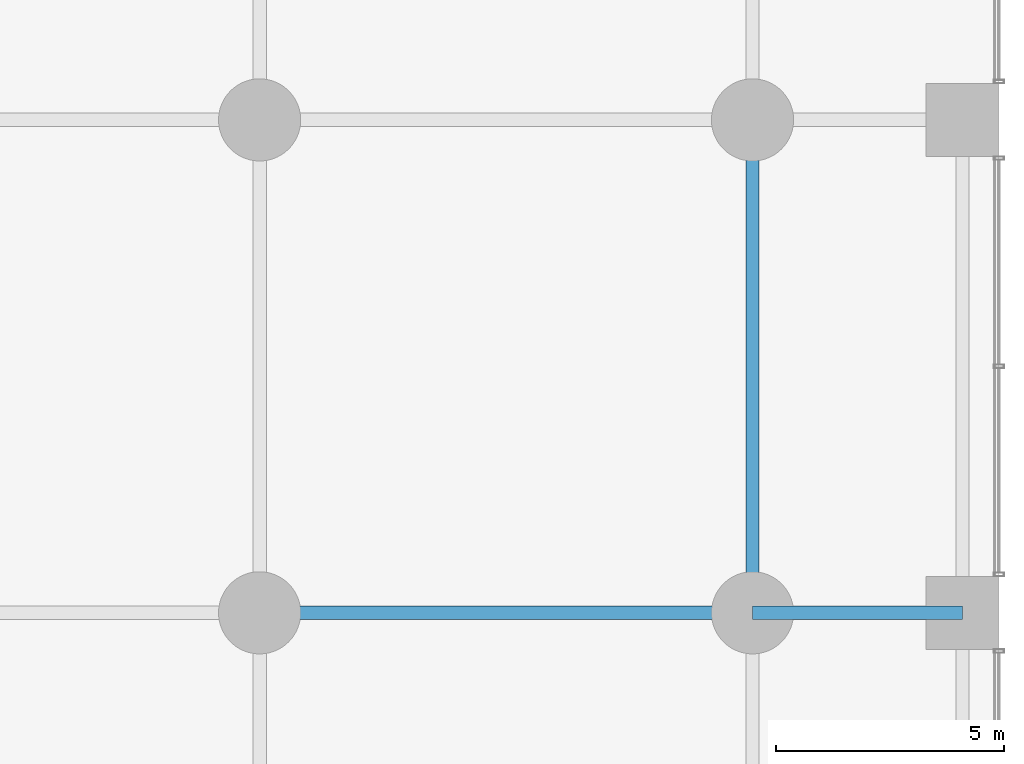
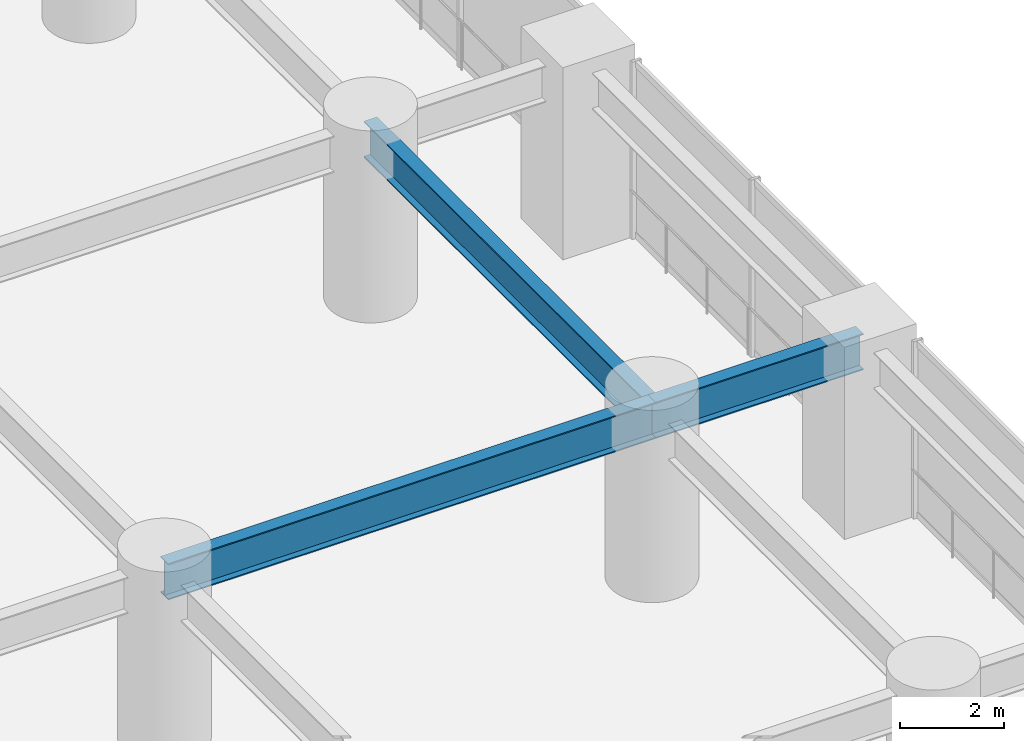
# One storey, part 21 of 35: 3 beams.
"""IFC4 building model written with IfcOpenShell, lengths in metres."""

from ifc_helpers import new_model, si_unit, direction, frame, origin, origin_2d, place, context, subcontext, project, spatial, i_section, extrude, material, material_profile, profile_set, type_object, element, save


model = new_model("IFC4")

# Units and contexts
model_context = context("Model", 3, precision=1e-05, world=origin(), true_north=direction((0.0, 1.0)))
body_context = subcontext(model_context, "Body", "Model", "MODEL_VIEW")
ifc_project = project(units=[si_unit("LENGTHUNIT", "METRE"), si_unit("AREAUNIT", "SQUARE_METRE"), si_unit("VOLUMEUNIT", "CUBIC_METRE"), si_unit("PLANEANGLEUNIT", "RADIAN"), si_unit("MASSUNIT", "GRAM", prefix="KILO")], contexts=[model_context])

# Site, building, storey
site_placement = place(None, origin())
site = spatial("IfcSite", under=ifc_project, at=site_placement, CompositionType="ELEMENT")
building_placement = place(site_placement, origin())
building = spatial("IfcBuilding", under=site, at=building_placement, Name="Surkhivell Harbour Commons", CompositionType="ELEMENT")
storey_placement = place(building_placement, frame((0.0, 0.0, 13.5)))
storey = spatial("IfcBuildingStorey", under=building, at=storey_placement, Name="L03", CompositionType="ELEMENT", Elevation=13.5)

# Beams
ifc_material = material(Name="Steel S460", Category="steel")
ifc_material_profile = material_profile(ifc_material, i_section(OverallWidth=0.2939453125, OverallDepth=0.85107421875, WebThickness=0.01611328125, FlangeThickness=0.02685546875, at=origin_2d()), Name="UB838x292x226")
ifc_profile_set = profile_set([ifc_material_profile], Name="Steel S460")
beam_type = type_object("IfcBeamType", Name="BM-SPN-838", PredefinedType="SPANDREL", material=ifc_profile_set)
beam_1_placement = place(storey_placement, frame((21.60009765625, 0.0, 3.724609375), z_axis=(1.0, 0.0, 0.0), x_axis=(0.0, 1.0, 0.0)))
element("IfcBeam", 1, at=beam_1_placement, inside=storey, type_object=beam_type, Name="L03 Framing Beam (21.6,0.0)", PredefinedType="SPANDREL", context=body_context, shape_type="SweptSolid", body=[
    extrude(i_section(OverallWidth=0.2939453125, OverallDepth=0.85107421875, WebThickness=0.01611328125, FlangeThickness=0.02685546875, at=origin_2d()), origin(), (0.0, 0.0, 1.0), 10.7998046875),
])
beam_2_placement = place(storey_placement, frame((32.39990234375, 0.0, 3.724609375), z_axis=(0.0, 1.0, 0.0), x_axis=(-1.0, 0.0, 0.0)))
element("IfcBeam", 2, at=beam_2_placement, inside=storey, type_object=beam_type, Name="L03 Framing Beam (32.4,0.0)", PredefinedType="SPANDREL", context=body_context, shape_type="SweptSolid", body=[
    extrude(i_section(OverallWidth=0.2939453125, OverallDepth=0.85107421875, WebThickness=0.01611328125, FlangeThickness=0.02685546875, at=origin_2d()), origin(), (0.0, 0.0, 1.0), 10.800048828125),
])
beam_3_placement = place(storey_placement, frame((32.39990234375, 0.0, 3.724609375), z_axis=(1.0, 0.0, 0.0), x_axis=(0.0, 1.0, 0.0)))
element("IfcBeam", 3, at=beam_3_placement, inside=storey, type_object=beam_type, Name="L03 Framing Beam (32.4,0.0)", PredefinedType="SPANDREL", context=body_context, shape_type="SweptSolid", body=[
    extrude(i_section(OverallWidth=0.2939453125, OverallDepth=0.85107421875, WebThickness=0.01611328125, FlangeThickness=0.02685546875, at=origin_2d()), origin(), (0.0, 0.0, 1.0), 4.60009765625),
])

save(model, "model.ifc")
